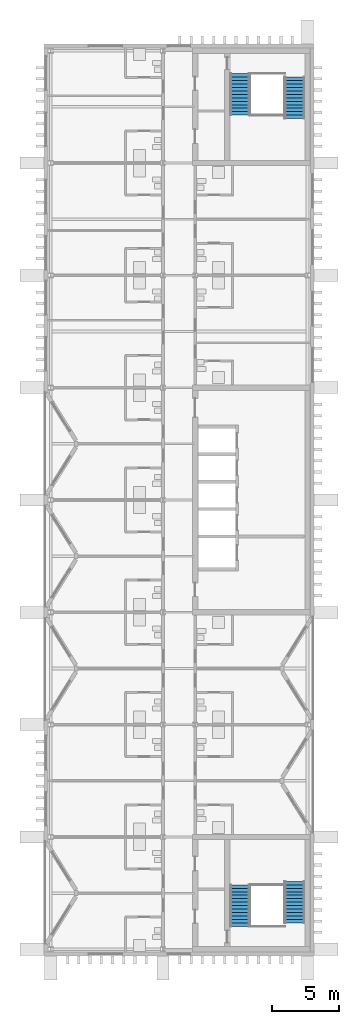
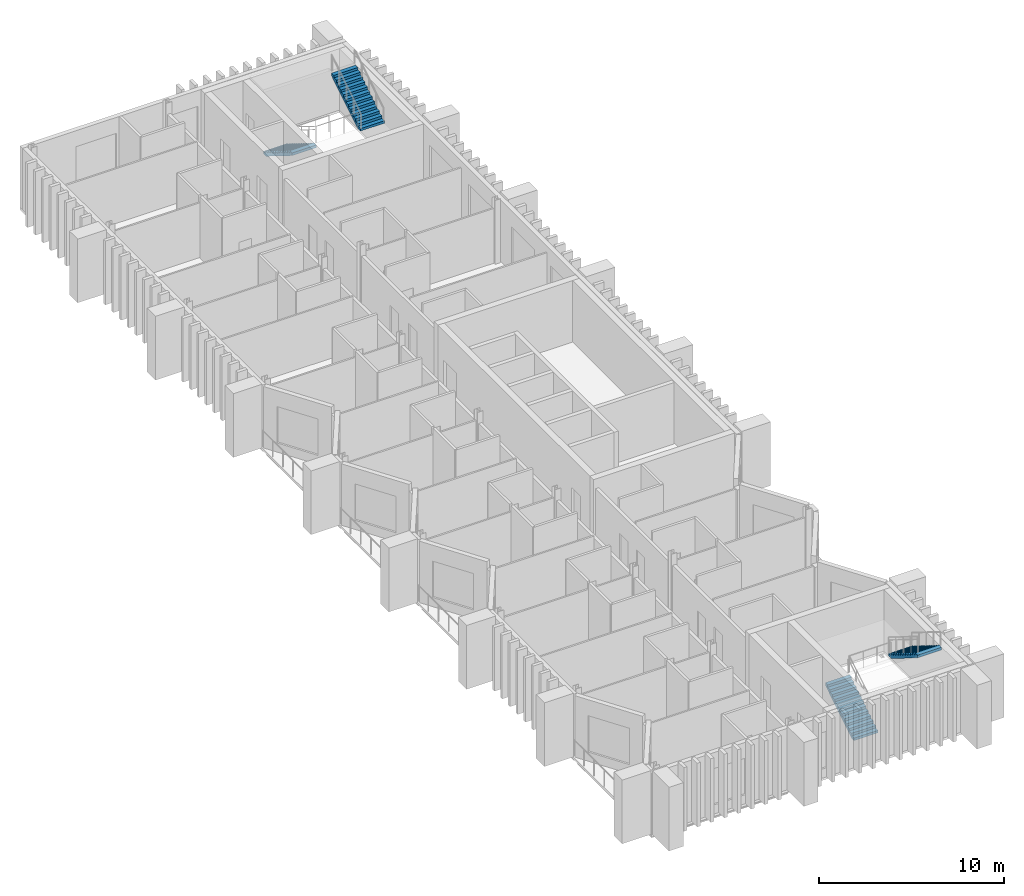
# One storey, part 9 of 11: 4 stair flights, 2 elements without a shape of their own.
"""IFC4 building model written with IfcOpenShell, lengths in metres."""

from ifc_helpers import new_model, si_unit, direction, frame, origin, place, context, subcontext, project, spatial, polyline, outline, extrude, material, type_object, element, aggregate, save


model = new_model("IFC4")

# Units and contexts
model_context = context("Model", 3, precision=1e-05, world=origin(), true_north=direction((0.0, 1.0)))
body_context = subcontext(model_context, "Body", "Model", "MODEL_VIEW")
ifc_project = project(units=[si_unit("LENGTHUNIT", "METRE"), si_unit("AREAUNIT", "SQUARE_METRE"), si_unit("VOLUMEUNIT", "CUBIC_METRE"), si_unit("PLANEANGLEUNIT", "RADIAN"), si_unit("MASSUNIT", "GRAM", prefix="KILO")], contexts=[model_context])

# Site, building, storey
site_placement = place(None, origin())
site = spatial("IfcSite", under=ifc_project, at=site_placement, CompositionType="ELEMENT")
building_placement = place(site_placement, origin())
building = spatial("IfcBuilding", under=site, at=building_placement, Name="Cresset Court Congress Hotel", CompositionType="ELEMENT")
storey_placement = place(building_placement, frame((0.0, 0.0, 48.0)))
storey = spatial("IfcBuildingStorey", under=building, at=storey_placement, Name="L11", CompositionType="ELEMENT", Elevation=48.0)

# Stair, stair flights
ifc_material_1 = material(Name="Concrete C40", Category="concrete")
stair_type = type_object("IfcStairType", Name="Concrete dog-leg stair 5600", PredefinedType="HALF_TURN_STAIR", material=ifc_material_1)
stair_1_placement = place(storey_placement, origin())
stair_1 = element("IfcStair", 1, at=stair_1_placement, inside=storey, type_object=stair_type, Name="Stair A1 L11", PredefinedType="HALF_TURN_STAIR")
ifc_material_2 = material(Name="Concrete C40", Category="concrete")
stair_flight_type = type_object("IfcStairFlightType", Name="Concrete stair flight", PredefinedType="STRAIGHT", material=ifc_material_2)
stair_flight_1_placement = place(storey_placement, frame((171.35009765625, 1.699951171875, 0.0), z_axis=(0.0, 0.0, 1.0), x_axis=(0.0, 1.0, 0.0)))
stair_flight_1 = element("IfcStairFlight", 2, at=stair_flight_1_placement, type_object=stair_flight_type, Name="A-ST1 flight 1", NumberOfRisers=13, NumberOfTreads=12, PredefinedType="STRAIGHT", RiserHeight=0.161538462, TreadLength=0.26, context=body_context, shape_type="SweptSolid", body=[
    extrude(outline(polyline([(0.0, 0.0), (0.0, 0.16162109375), (0.260009765625, 0.16162109375), (0.260009765625, 0.322998046875), (0.52001953125, 0.322998046875), (0.52001953125, 0.484619140625), (0.780029296875, 0.484619140625), (0.780029296875, 0.646240234375), (1.0400390625, 0.646240234375), (1.0400390625, 0.8076171875), (1.300048828125, 0.8076171875), (1.300048828125, 0.96923828125), (1.56005859375, 0.96923828125), (1.56005859375, 1.130859375), (1.820068359375, 1.130859375), (1.820068359375, 1.292236328125), (2.080078125, 1.292236328125), (2.080078125, 1.453857421875), (2.340087890625, 1.453857421875), (2.340087890625, 1.615478515625), (2.60009765625, 1.615478515625), (2.60009765625, 1.77685546875), (2.860107421875, 1.77685546875), (2.860107421875, 1.9384765625), (3.1201171875, 1.9384765625), (3.1201171875, 2.10009765625), (3.1201171875, 1.761962890625), (0.283935546875, 0.0), (0.0, 0.0)])), frame((0.0, 0.75, 0.0), z_axis=(0.0, -1.0, 0.0), x_axis=(1.0, 0.0, 0.0)), (0.0, 0.0, 1.0), 1.5),
])
stair_flight_2_placement = place(storey_placement, frame((175.449951171875, 5.080078125, 2.10009765625), z_axis=(0.0, 0.0, 1.0), x_axis=(0.0, -1.0, 0.0)))
stair_flight_2 = element("IfcStairFlight", 3, at=stair_flight_2_placement, type_object=stair_flight_type, Name="A-ST1 flight 2", NumberOfRisers=13, NumberOfTreads=12, PredefinedType="STRAIGHT", RiserHeight=0.161538462, TreadLength=0.26, context=body_context, shape_type="SweptSolid", body=[
    extrude(outline(polyline([(0.0, 0.0), (0.0, 0.16162109375), (0.260009765625, 0.16162109375), (0.260009765625, 0.322998046875), (0.52001953125, 0.322998046875), (0.52001953125, 0.484619140625), (0.780029296875, 0.484619140625), (0.780029296875, 0.646240234375), (1.0400390625, 0.646240234375), (1.0400390625, 0.8076171875), (1.300048828125, 0.8076171875), (1.300048828125, 0.96923828125), (1.56005859375, 0.96923828125), (1.56005859375, 1.130859375), (1.820068359375, 1.130859375), (1.820068359375, 1.292236328125), (2.080078125, 1.292236328125), (2.080078125, 1.453857421875), (2.340087890625, 1.453857421875), (2.340087890625, 1.615478515625), (2.60009765625, 1.615478515625), (2.60009765625, 1.77685546875), (2.860107421875, 1.77685546875), (2.860107421875, 1.9384765625), (3.1201171875, 1.9384765625), (3.1201171875, 2.10009765625), (3.1201171875, 1.761962890625), (0.283935546875, 0.0), (0.0, 0.0)])), frame((0.0, 0.75, 0.0), z_axis=(0.0, -1.0, 0.0), x_axis=(1.0, 0.0, 0.0)), (0.0, 0.0, 1.0), 1.5),
])
aggregate(stair_1, [stair_flight_1, stair_flight_2])

stair_2_placement = place(storey_placement, origin())
stair_2 = element("IfcStair", 4, at=stair_2_placement, inside=storey, type_object=stair_type, Name="Stair A2 L11", PredefinedType="HALF_TURN_STAIR")
stair_flight_3_placement = place(storey_placement, frame((171.35009765625, 65.5, 0.0), z_axis=(0.0, 0.0, 1.0), x_axis=(0.0, -1.0, 0.0)))
stair_flight_3 = element("IfcStairFlight", 5, at=stair_flight_3_placement, type_object=stair_flight_type, Name="A-ST1 flight 1", NumberOfRisers=13, NumberOfTreads=12, PredefinedType="STRAIGHT", RiserHeight=0.161538462, TreadLength=0.26, context=body_context, shape_type="SweptSolid", body=[
    extrude(outline(polyline([(0.0, 0.0), (0.0, 0.16162109375), (0.260009765625, 0.16162109375), (0.260009765625, 0.322998046875), (0.52001953125, 0.322998046875), (0.52001953125, 0.484619140625), (0.780029296875, 0.484619140625), (0.780029296875, 0.646240234375), (1.0400390625, 0.646240234375), (1.0400390625, 0.8076171875), (1.300048828125, 0.8076171875), (1.300048828125, 0.96923828125), (1.56005859375, 0.96923828125), (1.56005859375, 1.130859375), (1.820068359375, 1.130859375), (1.820068359375, 1.292236328125), (2.080078125, 1.292236328125), (2.080078125, 1.453857421875), (2.340087890625, 1.453857421875), (2.340087890625, 1.615478515625), (2.60009765625, 1.615478515625), (2.60009765625, 1.77685546875), (2.860107421875, 1.77685546875), (2.860107421875, 1.9384765625), (3.1201171875, 1.9384765625), (3.1201171875, 2.10009765625), (3.1201171875, 1.761962890625), (0.283935546875, 0.0), (0.0, 0.0)])), frame((0.0, 0.75, 0.0), z_axis=(0.0, -1.0, 0.0), x_axis=(1.0, 0.0, 0.0)), (0.0, 0.0, 1.0), 1.5),
])
stair_flight_4_placement = place(storey_placement, frame((175.449951171875, 62.1201171875, 2.10009765625), z_axis=(0.0, 0.0, 1.0), x_axis=(0.0, 1.0, 0.0)))
stair_flight_4 = element("IfcStairFlight", 6, at=stair_flight_4_placement, type_object=stair_flight_type, Name="A-ST1 flight 2", NumberOfRisers=13, NumberOfTreads=12, PredefinedType="STRAIGHT", RiserHeight=0.161538462, TreadLength=0.26, context=body_context, shape_type="SweptSolid", body=[
    extrude(outline(polyline([(0.0, 0.0), (0.0, 0.16162109375), (0.260009765625, 0.16162109375), (0.260009765625, 0.322998046875), (0.52001953125, 0.322998046875), (0.52001953125, 0.484619140625), (0.780029296875, 0.484619140625), (0.780029296875, 0.646240234375), (1.0400390625, 0.646240234375), (1.0400390625, 0.8076171875), (1.300048828125, 0.8076171875), (1.300048828125, 0.96923828125), (1.56005859375, 0.96923828125), (1.56005859375, 1.130859375), (1.820068359375, 1.130859375), (1.820068359375, 1.292236328125), (2.080078125, 1.292236328125), (2.080078125, 1.453857421875), (2.340087890625, 1.453857421875), (2.340087890625, 1.615478515625), (2.60009765625, 1.615478515625), (2.60009765625, 1.77685546875), (2.860107421875, 1.77685546875), (2.860107421875, 1.9384765625), (3.1201171875, 1.9384765625), (3.1201171875, 2.10009765625), (3.1201171875, 1.761962890625), (0.283935546875, 0.0), (0.0, 0.0)])), frame((0.0, 0.75, 0.0), z_axis=(0.0, -1.0, 0.0), x_axis=(1.0, 0.0, 0.0)), (0.0, 0.0, 1.0), 1.5),
])
aggregate(stair_2, [stair_flight_3, stair_flight_4])

save(model, "model.ifc")
